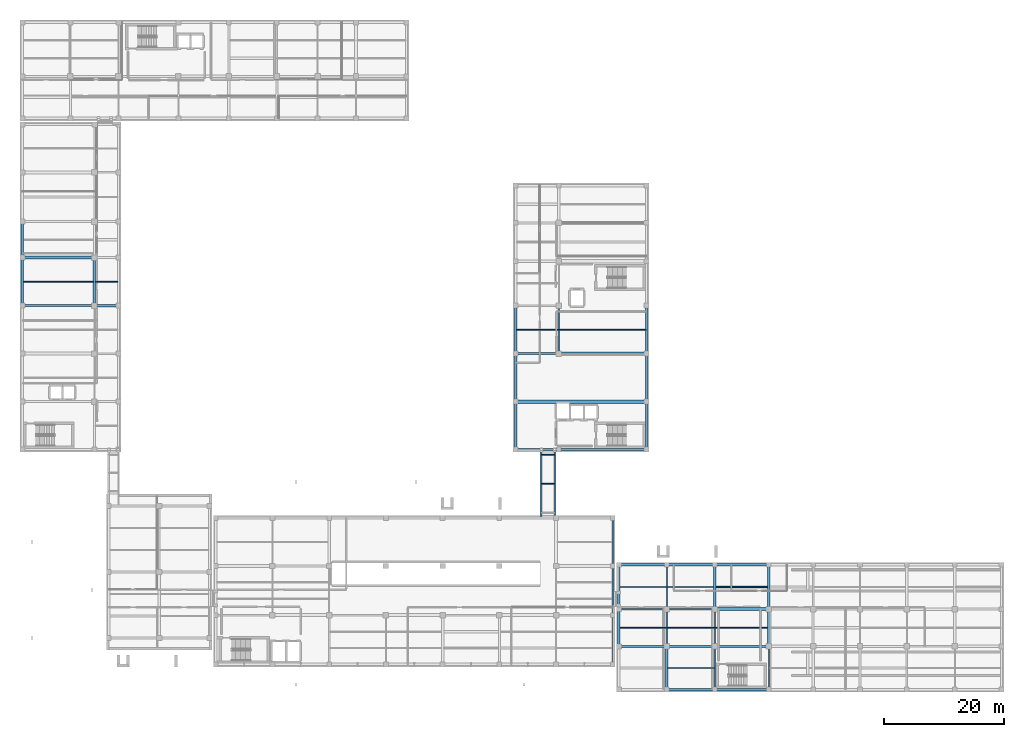
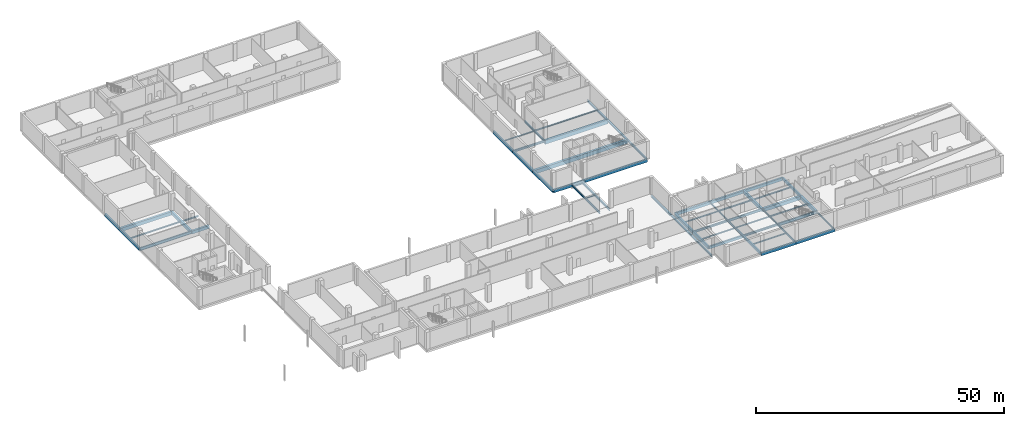
# One storey, part 10 of 31: 58 beams.
"""IFC4 building model written with IfcOpenShell, lengths in metres."""

import ifcopenshell
import ifcopenshell.guid

model = None  # the IFC model being written
_history = None  # IfcOwnerHistory: only IFC2X3 demands one
_inside = {}  # id of a spatial element -> (the spatial element, [elements in it])
_under = {}  # id of a project, library or spatial element -> (it, [spatial elements below it])
_declared = {}  # id of a project -> (the project, [libraries it declares])
_typed = {}  # id of a type object -> (the type object, [elements of that type])
_made_of = {}  # id of a material, layer set ... -> (it, [elements and type objects made of it])


def new_model(schema):
    """Start an empty IFC model of exactly this schema.

    Asked for "IFC4X3", IfcOpenShell would pick the latest addendum, in which some entities
    have other attributes; the version numbers below select the first issue.
    IFC2X3 requires an IfcOwnerHistory on every rooted entity: one is made here for all.
    """
    global model, _history
    if schema == "IFC4X3":
        model = ifcopenshell.file(schema_version=(4, 3, 0, 0))
    else:
        model = ifcopenshell.file(schema=schema)
    _inside.clear()
    _under.clear()
    _declared.clear()
    _typed.clear()
    _made_of.clear()
    _history = None
    if model.schema == "IFC2X3":
        org = make("IfcOrganization", Name="unknown")
        user = make(
            "IfcPersonAndOrganization",
            ThePerson=make("IfcPerson", FamilyName="unknown"),
            TheOrganization=org,
        )
        app = make(
            "IfcApplication",
            ApplicationDeveloper=org,
            Version="unknown",
            ApplicationFullName="unknown",
            ApplicationIdentifier="unknown",
        )
        _history = make(
            "IfcOwnerHistory",
            OwningUser=user,
            OwningApplication=app,
            ChangeAction="ADDED",
            CreationDate=0,
        )
    return model


def make(cls, **values):
    """One entity of the class cls with the attributes given. An attribute that is None is left unset."""
    return model.create_entity(
        cls, **{name: value for name, value in values.items() if value is not None}
    )


def rooted(cls, **values):
    """An entity with a GlobalId (a new one), such as an element, a storey or a relation."""
    return make(cls, GlobalId=ifcopenshell.guid.new(), OwnerHistory=_history, **values)


def si_unit(unit_type, name, prefix=None):
    """IfcSIUnit, for example si_unit("LENGTHUNIT", "METRE", prefix="MILLI")."""
    return make("IfcSIUnit", UnitType=unit_type, Prefix=prefix, Name=name)


def assignment(units):
    """IfcUnitAssignment: the units of a project."""
    return None if units is None else make("IfcUnitAssignment", Units=units)


def point(xyz):
    """IfcCartesianPoint."""
    return None if xyz is None else make("IfcCartesianPoint", Coordinates=xyz)


def direction(xyz):
    """IfcDirection."""
    return None if xyz is None else make("IfcDirection", DirectionRatios=xyz)


def frame(location, z_axis=None, x_axis=None):
    """IfcAxis2Placement3D, a coordinate frame: its origin and axes. An axis left out is left unset."""
    return make(
        "IfcAxis2Placement3D",
        Location=point(location),
        Axis=direction(z_axis),
        RefDirection=direction(x_axis),
    )


def frame_2d(location, x_axis=None):
    """IfcAxis2Placement2D, a coordinate frame in the plane: its origin and x axis."""
    return make(
        "IfcAxis2Placement2D", Location=point(location), RefDirection=direction(x_axis)
    )


def origin():
    """The frame at (0, 0, 0) with its axes left unset."""
    return frame((0.0, 0.0, 0.0))


def origin_2d():
    """The frame at (0, 0) in the plane with its x axis left unset."""
    return frame_2d((0.0, 0.0))


def place(relative_to, where):
    """IfcLocalPlacement: puts the frame where relative to a parent placement (None: the world)."""
    return make(
        "IfcLocalPlacement", PlacementRelTo=relative_to, RelativePlacement=where
    )


def context(
    kind, dimensions, precision=None, world=None, true_north=None, identifier=None
):
    """IfcGeometricRepresentationContext, for example the 3D "Model" context."""
    return make(
        "IfcGeometricRepresentationContext",
        ContextIdentifier=identifier,
        ContextType=kind,
        CoordinateSpaceDimension=dimensions,
        Precision=precision,
        WorldCoordinateSystem=world,
        TrueNorth=true_north,
    )


def subcontext(parent, identifier, kind, view, scale=None):
    """IfcGeometricRepresentationSubContext, for example "Body" below "Model"."""
    return make(
        "IfcGeometricRepresentationSubContext",
        ContextIdentifier=identifier,
        ContextType=kind,
        ParentContext=parent,
        TargetScale=scale,
        TargetView=view,
    )


def project(units=None, contexts=None):
    """IfcProject with its units and contexts."""
    return rooted(
        "IfcProject",
        Name="project",
        RepresentationContexts=contexts,
        UnitsInContext=assignment(units),
    )


def spatial(cls, under=None, at=None, **own):
    """A site, building, storey or space (cls), placed at a placement, below another one or the project."""
    s = rooted(cls, ObjectPlacement=at, **own)
    if under is not None:
        _under.setdefault(under.id(), (under, []))[1].append(s)
    return s


def profile(cls, at=None, kind="AREA", **sizes):
    """A parametric profile (cls). Its sizes go by their IFC names, for example OverallWidth=200.0."""
    return make(cls, ProfileType=kind, Position=at, **sizes)


def rectangle(**sizes):
    """IfcRectangleProfileDef."""
    return profile("IfcRectangleProfileDef", **sizes)


def i_section(**sizes):
    """IfcIShapeProfileDef."""
    return profile("IfcIShapeProfileDef", **sizes)


def extrude(swept, where, along, depth):
    """IfcExtrudedAreaSolid: the profile swept, set in the frame where, extruded along a direction by depth."""
    return make(
        "IfcExtrudedAreaSolid",
        SweptArea=swept,
        Position=where,
        ExtrudedDirection=direction(along),
        Depth=depth,
    )


def shape(context_of_items, identifier, shape_type, items):
    """IfcShapeRepresentation: the items that make up one representation, for example the "Body"."""
    return make(
        "IfcShapeRepresentation",
        ContextOfItems=context_of_items,
        RepresentationIdentifier=identifier,
        RepresentationType=shape_type,
        Items=items,
    )


def material(Name=None, Category=None):
    """IfcMaterial."""
    return make("IfcMaterial", Name=Name, Category=Category)


def material_profile(
    of_material, cross_section, Name=None, Category=None, Priority=None
):
    """IfcMaterialProfile: a cross section and its material."""
    return make(
        "IfcMaterialProfile",
        Name=Name,
        Material=of_material,
        Profile=cross_section,
        Priority=Priority,
        Category=Category,
    )


def profile_set(profiles, Name=None, composite=None):
    """IfcMaterialProfileSet."""
    return make(
        "IfcMaterialProfileSet",
        Name=Name,
        MaterialProfiles=profiles,
        CompositeProfile=composite,
    )


def made_of(thing, what):
    """Note that an element or type object is made of a material, layer set ...; save() writes the relation."""
    if what is not None:
        _made_of.setdefault(what.id(), (what, []))[1].append(thing)
    return thing


def type_object(cls, material=None, **own):
    """A type object (cls), such as IfcWallType, which elements share."""
    return made_of(rooted(cls, **own), material)


def element(
    cls,
    number,
    at=None,
    inside=None,
    cuts=None,
    type_object=None,
    material=None,
    context=None,
    identifier="Body",
    shape_type=None,
    held_by="IfcProductDefinitionShape",
    body=None,
    shapes=None,
    **own,
):
    """One element of the class cls, such as IfcWall. Its Tag is "e" and its number.

    at: its placement. inside: the storey or other place that contains it. cuts: it is an
    opening in that element (IfcRelVoidsElement). A single representation is given by context,
    identifier, shape_type and body (its items); several are given by shapes. held_by: the class
    of the entity that holds the representations. save() writes the other relations.
    """
    e = rooted(cls, Tag="e%d" % number, ObjectPlacement=at, **own)
    if body is not None:
        shapes = [shape(context, identifier, shape_type, body)]
    if shapes is not None:
        e.Representation = make(held_by, Representations=shapes)
    if inside is not None:
        _inside.setdefault(inside.id(), (inside, []))[1].append(e)
    if cuts is not None:
        rooted(
            "IfcRelVoidsElement", RelatingBuildingElement=cuts, RelatedOpeningElement=e
        )
    if type_object is not None:
        _typed.setdefault(type_object.id(), (type_object, []))[1].append(e)
    return made_of(e, material)


def aggregate(whole, parts):
    """IfcRelAggregates: a whole, such as a stair, and the parts it consists of."""
    return rooted("IfcRelAggregates", RelatingObject=whole, RelatedObjects=parts)


def save(model, path):
    """Write the relations noted so far, then the file.

    IfcRelAggregates (storeys below a building ...), IfcRelContainedInSpatialStructure (elements
    in a storey), IfcRelDefinesByType, IfcRelAssociatesMaterial and IfcRelDeclares: one each for
    every whole, place, type object, material and project.
    """
    for whole, parts in _under.values():
        aggregate(whole, parts)
    for where, things in _inside.values():
        rooted(
            "IfcRelContainedInSpatialStructure",
            RelatedElements=things,
            RelatingStructure=where,
        )
    for kind, things in _typed.values():
        rooted("IfcRelDefinesByType", RelatedObjects=things, RelatingType=kind)
    for what, things in _made_of.values():
        rooted("IfcRelAssociatesMaterial", RelatedObjects=things, RelatingMaterial=what)
    for by, libraries in _declared.values():
        rooted("IfcRelDeclares", RelatingContext=by, RelatedDefinitions=libraries)
    model.write(path)


model = new_model("IFC4")

# Units and contexts
model_context = context("Model", 3, precision=1e-05, world=origin(), true_north=direction((0.0, 1.0)))
body_context = subcontext(model_context, "Body", "Model", "MODEL_VIEW")
ifc_project = project(units=[si_unit("LENGTHUNIT", "METRE"), si_unit("AREAUNIT", "SQUARE_METRE"), si_unit("VOLUMEUNIT", "CUBIC_METRE"), si_unit("PLANEANGLEUNIT", "RADIAN"), si_unit("MASSUNIT", "GRAM", prefix="KILO")], contexts=[model_context])

# Site, building, storey
site_placement = place(None, origin())
site = spatial("IfcSite", under=ifc_project, at=site_placement, CompositionType="ELEMENT")
building_placement = place(site_placement, origin())
building = spatial("IfcBuilding", under=site, at=building_placement, Name="Qalavern Law Courts", CompositionType="ELEMENT")
storey_placement = place(building_placement, frame((0.0, 0.0, -4.199951171875)))
storey = spatial("IfcBuildingStorey", under=building, at=storey_placement, Name="B1", CompositionType="ELEMENT", Elevation=-4.199951171875)

# Beams
ifc_material_1 = material(Name="Steel S355", Category="steel")
ifc_material_profile_1 = material_profile(ifc_material_1, i_section(OverallWidth=0.300048828125, OverallDepth=0.489990234375, WebThickness=0.011962890625, FlangeThickness=0.02294921875, FilletRadius=0.027099609375, at=origin_2d()), Name="HEA 500")
ifc_profile_set_1 = profile_set([ifc_material_profile_1], Name="Steel S355")
beam_type_1 = type_object("IfcBeamType", Name="STR-BM-HEA500", PredefinedType="BEAM", material=ifc_profile_set_1)
beam_1_placement = place(storey_placement, frame((84.60009765625, 57.39990234375, -0.56494140625), z_axis=(1.0, 0.0, 0.0), x_axis=(0.0, 1.0, 0.0)))
element("IfcBeam", 1, at=beam_1_placement, inside=storey, type_object=beam_type_1, Name="V4 X-beam 3-1 B1", PredefinedType="BEAM", context=body_context, shape_type="SweptSolid", body=[
    extrude(i_section(OverallWidth=0.300048828125, OverallDepth=0.489990234375, WebThickness=0.011962890625, FlangeThickness=0.02294921875, FilletRadius=0.027099609375, at=origin_2d()), origin(), (0.0, 0.0, 1.0), 7.199951171875),
])
beam_2_placement = place(storey_placement, frame((109.800048828125, 8.60009765625, -0.56494140625), z_axis=(1.0, 0.0, 0.0), x_axis=(0.0, 1.0, 0.0)))
element("IfcBeam", 2, at=beam_2_placement, inside=storey, type_object=beam_type_1, Name="V6 X-beam 2-2 B1", PredefinedType="BEAM", context=body_context, shape_type="SweptSolid", body=[
    extrude(i_section(OverallWidth=0.300048828125, OverallDepth=0.489990234375, WebThickness=0.011962890625, FlangeThickness=0.02294921875, FilletRadius=0.027099609375, at=origin_2d()), origin(), (0.0, 0.0, 1.0), 8.0),
])
beam_3_placement = place(storey_placement, frame((101.820068359375, 14.800048828125, -0.56494140625), z_axis=(1.0, 0.0, 0.0), x_axis=(0.0, 1.0, 0.0)))
element("IfcBeam", 3, at=beam_3_placement, inside=storey, type_object=beam_type_1, Name="V6 X-beam 3-1 B1", PredefinedType="BEAM", context=body_context, shape_type="SweptSolid", body=[
    extrude(i_section(OverallWidth=0.300048828125, OverallDepth=0.489990234375, WebThickness=0.011962890625, FlangeThickness=0.02294921875, FilletRadius=0.027099609375, at=origin_2d()), origin(), (0.0, 0.0, 1.0), 7.97998046875),
])
ifc_material_profile_2 = material_profile(ifc_material_1, i_section(OverallWidth=0.300048828125, OverallDepth=0.699951171875, WebThickness=0.01708984375, FlangeThickness=0.031982421875, FilletRadius=0.027099609375, at=origin_2d()), Name="HEB 700")
ifc_profile_set_2 = profile_set([ifc_material_profile_2], Name="Steel S355")
beam_type_2 = type_object("IfcBeamType", Name="STR-BM-HEB700", PredefinedType="BEAM", material=ifc_profile_set_2)
beam_4_placement = place(storey_placement, frame((2.39990234375, 65.39990234375, -0.670166015625), z_axis=(1.0, 0.0, 0.0), x_axis=(0.0, 1.0, 0.0)))
element("IfcBeam", 4, at=beam_4_placement, inside=storey, type_object=beam_type_2, Name="V3 X-beam 4-1 B1", PredefinedType="BEAM", context=body_context, shape_type="SweptSolid", body=[
    extrude(i_section(OverallWidth=0.300048828125, OverallDepth=0.699951171875, WebThickness=0.01708984375, FlangeThickness=0.031982421875, FilletRadius=0.027099609375, at=origin_2d()), origin(), (0.0, 0.0, 1.0), 12.0),
])
beam_5_placement = place(storey_placement, frame((117.800048828125, 8.60009765625, -0.670166015625), z_axis=(1.0, 0.0, 0.0), x_axis=(0.0, 1.0, 0.0)))
element("IfcBeam", 5, at=beam_5_placement, inside=storey, type_object=beam_type_2, Name="V6 X-beam 2-3 B1", PredefinedType="BEAM", context=body_context, shape_type="SweptSolid", body=[
    extrude(i_section(OverallWidth=0.300048828125, OverallDepth=0.699951171875, WebThickness=0.01708984375, FlangeThickness=0.031982421875, FilletRadius=0.027099609375, at=origin_2d()), origin(), (0.0, 0.0, 1.0), 9.0),
])
ifc_material_profile_3 = material_profile(ifc_material_1, i_section(OverallWidth=0.179931640625, OverallDepth=0.39990234375, WebThickness=0.008544921875, FlangeThickness=0.013427734375, FilletRadius=0.02099609375, at=origin_2d()), Name="IPE 400")
ifc_profile_set_3 = profile_set([ifc_material_profile_3], Name="Steel S355")
beam_type_3 = type_object("IfcBeamType", Name="STR-BM-IPE400", PredefinedType="BEAM", material=ifc_profile_set_3)
beam_6_placement = place(storey_placement, frame((109.800048828125, 14.800048828125, -0.52001953125), z_axis=(0.0, 1.0, 0.0), x_axis=(-1.0, 0.0, 0.0)))
element("IfcBeam", 6, at=beam_6_placement, inside=storey, type_object=beam_type_3, Name="V6 Y-beam 2-3 B1", PredefinedType="BEAM", context=body_context, shape_type="SweptSolid", body=[
    extrude(i_section(OverallWidth=0.179931640625, OverallDepth=0.39990234375, WebThickness=0.008544921875, FlangeThickness=0.013427734375, FilletRadius=0.02099609375, at=origin_2d()), origin(), (0.0, 0.0, 1.0), 7.39990234375),
])
beam_7_placement = place(storey_placement, frame((117.800048828125, 8.60009765625, -0.52001953125), z_axis=(0.0, 1.0, 0.0), x_axis=(-1.0, 0.0, 0.0)))
element("IfcBeam", 7, at=beam_7_placement, inside=storey, type_object=beam_type_3, Name="V6 Y-beam 3-2 B1", PredefinedType="BEAM", context=body_context, shape_type="SweptSolid", body=[
    extrude(i_section(OverallWidth=0.179931640625, OverallDepth=0.39990234375, WebThickness=0.008544921875, FlangeThickness=0.013427734375, FilletRadius=0.02099609375, at=origin_2d()), origin(), (0.0, 0.0, 1.0), 6.199951171875),
])
beam_8_placement = place(storey_placement, frame((126.800048828125, 1.39990234375, -0.52001953125), z_axis=(0.0, 1.0, 0.0), x_axis=(-1.0, 0.0, 0.0)))
element("IfcBeam", 8, at=beam_8_placement, inside=storey, type_object=beam_type_3, Name="V6 Y-beam 4-1 B1", PredefinedType="BEAM", context=body_context, shape_type="SweptSolid", body=[
    extrude(i_section(OverallWidth=0.179931640625, OverallDepth=0.39990234375, WebThickness=0.008544921875, FlangeThickness=0.013427734375, FilletRadius=0.02099609375, at=origin_2d()), origin(), (0.0, 0.0, 1.0), 7.2001953125),
])
ifc_material_profile_4 = material_profile(ifc_material_1, i_section(OverallWidth=0.199951171875, OverallDepth=0.5, WebThickness=0.01025390625, FlangeThickness=0.01611328125, FilletRadius=0.02099609375, at=origin_2d()), Name="IPE 500")
ifc_profile_set_4 = profile_set([ifc_material_profile_4], Name="Steel S355")
beam_type_4 = type_object("IfcBeamType", Name="STR-BM-IPE500", PredefinedType="BEAM", material=ifc_profile_set_4)
beam_9_placement = place(storey_placement, frame((91.800048828125, 57.39990234375, -0.570068359375), z_axis=(0.0, 1.0, 0.0), x_axis=(-1.0, 0.0, 0.0)))
element("IfcBeam", 9, at=beam_9_placement, inside=storey, type_object=beam_type_4, Name="V4 Y-beam 2-2 B1", PredefinedType="BEAM", context=body_context, shape_type="SweptSolid", body=[
    extrude(i_section(OverallWidth=0.199951171875, OverallDepth=0.5, WebThickness=0.01025390625, FlangeThickness=0.01611328125, FilletRadius=0.02099609375, at=origin_2d()), origin(), (0.0, 0.0, 1.0), 8.0),
])
beam_10_placement = place(storey_placement, frame((109.800048828125, 8.60009765625, -0.570068359375), z_axis=(0.0, 1.0, 0.0), x_axis=(-1.0, 0.0, 0.0)))
element("IfcBeam", 10, at=beam_10_placement, inside=storey, type_object=beam_type_4, Name="V6 Y-beam 2-2 B1", PredefinedType="BEAM", context=body_context, shape_type="SweptSolid", body=[
    extrude(i_section(OverallWidth=0.199951171875, OverallDepth=0.5, WebThickness=0.01025390625, FlangeThickness=0.01611328125, FilletRadius=0.02099609375, at=origin_2d()), origin(), (0.0, 0.0, 1.0), 6.199951171875),
])
beam_11_placement = place(storey_placement, frame((117.800048828125, 1.39990234375, -0.570068359375), z_axis=(0.0, 1.0, 0.0), x_axis=(-1.0, 0.0, 0.0)))
element("IfcBeam", 11, at=beam_11_placement, inside=storey, type_object=beam_type_4, Name="V6 Y-beam 3-1 B1", PredefinedType="BEAM", context=body_context, shape_type="SweptSolid", body=[
    extrude(i_section(OverallWidth=0.199951171875, OverallDepth=0.5, WebThickness=0.01025390625, FlangeThickness=0.01611328125, FilletRadius=0.02099609375, at=origin_2d()), origin(), (0.0, 0.0, 1.0), 7.2001953125),
])
ifc_material_profile_5 = material_profile(ifc_material_1, i_section(OverallWidth=0.2099609375, OverallDepth=0.550048828125, WebThickness=0.010986328125, FlangeThickness=0.01708984375, FilletRadius=0.02392578125, at=origin_2d()), Name="IPE 550")
ifc_profile_set_5 = profile_set([ifc_material_profile_5], Name="Steel S355")
beam_type_5 = type_object("IfcBeamType", Name="STR-BM-IPE550", PredefinedType="BEAM", material=ifc_profile_set_5)
for number, where, z_axis, x_axis, name in (
    (12, (88.8798828125, 30.0, -0.594970703125), (0.0, 1.0, 0.0), (-1.0, 0.0, 0.0), "Bridge BR-V2-V4 edge girder 1 B1"),
    (13, (91.1201171875, 30.0, -0.594970703125), (0.0, 1.0, 0.0), (-1.0, 0.0, 0.0), "Bridge BR-V2-V4 edge girder 2 B1"),
):
    element("IfcBeam", number, at=place(storey_placement, frame(where, z_axis=z_axis, x_axis=x_axis)), inside=storey, type_object=beam_type_5, Name=name, PredefinedType="BEAM", context=body_context, shape_type="SweptSolid", body=[
        extrude(i_section(OverallWidth=0.2099609375, OverallDepth=0.550048828125, WebThickness=0.010986328125, FlangeThickness=0.01708984375, FilletRadius=0.02392578125, at=origin_2d()), origin(), (0.0, 0.0, 1.0), 11.419921875),
    ])
ifc_material_profile_6 = material_profile(ifc_material_1, i_section(OverallWidth=0.219970703125, OverallDepth=0.60009765625, WebThickness=0.011962890625, FlangeThickness=0.01904296875, FilletRadius=0.02392578125, at=origin_2d()), Name="IPE 600")
ifc_profile_set_6 = profile_set([ifc_material_profile_6], Name="Steel S355")
beam_type_6 = type_object("IfcBeamType", Name="STR-BM-IPE600", PredefinedType="BEAM", material=ifc_profile_set_6)
beam_12_placement = place(storey_placement, frame((109.800048828125, 14.800048828125, -0.6201171875), z_axis=(1.0, 0.0, 0.0), x_axis=(0.0, 1.0, 0.0)))
element("IfcBeam", 14, at=beam_12_placement, inside=storey, type_object=beam_type_6, Name="V6 X-beam 3-2 B1", PredefinedType="BEAM", context=body_context, shape_type="SweptSolid", body=[
    extrude(i_section(OverallWidth=0.219970703125, OverallDepth=0.60009765625, WebThickness=0.011962890625, FlangeThickness=0.01904296875, FilletRadius=0.02392578125, at=origin_2d()), origin(), (0.0, 0.0, 1.0), 8.0),
])
ifc_material_2 = material(Name="Concrete C35/45", Category="concrete")
ifc_material_profile_7 = material_profile(ifc_material_2, rectangle(XDim=0.35009765625, YDim=0.550048828125, at=origin_2d()), Name="RC 350x550")
ifc_profile_set_7 = profile_set([ifc_material_profile_7], Name="Concrete C35/45")
beam_type_7 = type_object("IfcBeamType", Name="STR-BM-RC350x550", PredefinedType="BEAM", material=ifc_profile_set_7)
beam_13_placement = place(storey_placement, frame((109.800048828125, 1.39990234375, -0.594970703125), z_axis=(0.0, 1.0, 0.0), x_axis=(-1.0, 0.0, 0.0)))
element("IfcBeam", 15, at=beam_13_placement, inside=storey, type_object=beam_type_7, Name="V6 Y-beam 2-1 B1", PredefinedType="BEAM", context=body_context, shape_type="SweptSolid", body=[
    extrude(rectangle(XDim=0.35009765625, YDim=0.550048828125, at=origin_2d()), origin(), (0.0, 0.0, 1.0), 7.2001953125),
])
beam_14_placement = place(storey_placement, frame((126.800048828125, 14.800048828125, -0.594970703125), z_axis=(0.0, 1.0, 0.0), x_axis=(-1.0, 0.0, 0.0)))
element("IfcBeam", 16, at=beam_14_placement, inside=storey, type_object=beam_type_7, Name="V6 Y-beam 4-3 B1", PredefinedType="BEAM", context=body_context, shape_type="SweptSolid", body=[
    extrude(rectangle(XDim=0.35009765625, YDim=0.550048828125, at=origin_2d()), origin(), (0.0, 0.0, 1.0), 7.39990234375),
])
ifc_material_profile_8 = material_profile(ifc_material_2, rectangle(XDim=0.35009765625, YDim=0.60009765625, at=origin_2d()), Name="RC 350x600")
ifc_profile_set_8 = profile_set([ifc_material_profile_8], Name="Concrete C35/45")
beam_type_8 = type_object("IfcBeamType", Name="STR-BM-RC350x600", PredefinedType="BEAM", material=ifc_profile_set_8)
beam_15_placement = place(storey_placement, frame((101.820068359375, 8.60009765625, -0.6201171875), z_axis=(1.0, 0.0, 0.0), x_axis=(0.0, 1.0, 0.0)))
element("IfcBeam", 17, at=beam_15_placement, inside=storey, type_object=beam_type_8, Name="V6 X-beam 2-1 B1", PredefinedType="BEAM", context=body_context, shape_type="SweptSolid", body=[
    extrude(rectangle(XDim=0.35009765625, YDim=0.60009765625, at=origin_2d()), origin(), (0.0, 0.0, 1.0), 7.97998046875),
])
ifc_material_3 = material(Name="Concrete C40/50", Category="concrete")
ifc_material_profile_9 = material_profile(ifc_material_3, rectangle(XDim=0.449951171875, YDim=0.75, at=origin_2d()), Name="RC 450x750")
ifc_profile_set_9 = profile_set([ifc_material_profile_9], Name="Concrete C40/50")
beam_type_9 = type_object("IfcBeamType", Name="STR-BM-RC450x750", PredefinedType="BEAM", material=ifc_profile_set_9)
beam_16_placement = place(storey_placement, frame((14.39990234375, 65.39990234375, -0.695068359375), z_axis=(1.0, 0.0, 0.0), x_axis=(0.0, 1.0, 0.0)))
element("IfcBeam", 18, at=beam_16_placement, inside=storey, type_object=beam_type_9, Name="V3 X-beam 4-2 B1", PredefinedType="BEAM", context=body_context, shape_type="SweptSolid", body=[
    extrude(rectangle(XDim=0.449951171875, YDim=0.75, at=origin_2d()), origin(), (0.0, 0.0, 1.0), 4.0),
])
beam_17_placement = place(storey_placement, frame((14.39990234375, 65.39990234375, -0.695068359375), z_axis=(0.0, 1.0, 0.0), x_axis=(-1.0, 0.0, 0.0)))
element("IfcBeam", 19, at=beam_17_placement, inside=storey, type_object=beam_type_9, Name="V3 Y-beam 2-4 B1", PredefinedType="BEAM", context=body_context, shape_type="SweptSolid", body=[
    extrude(rectangle(XDim=0.449951171875, YDim=0.75, at=origin_2d()), origin(), (0.0, 0.0, 1.0), 8.0),
])
beam_18_placement = place(storey_placement, frame((117.800048828125, 14.800048828125, -0.695068359375), z_axis=(0.0, 1.0, 0.0), x_axis=(-1.0, 0.0, 0.0)))
element("IfcBeam", 20, at=beam_18_placement, inside=storey, type_object=beam_type_9, Name="V6 Y-beam 3-3 B1", PredefinedType="BEAM", context=body_context, shape_type="SweptSolid", body=[
    extrude(rectangle(XDim=0.449951171875, YDim=0.75, at=origin_2d()), origin(), (0.0, 0.0, 1.0), 7.39990234375),
])
beam_19_placement = place(storey_placement, frame((126.800048828125, 8.60009765625, -0.695068359375), z_axis=(0.0, 1.0, 0.0), x_axis=(-1.0, 0.0, 0.0)))
element("IfcBeam", 21, at=beam_19_placement, inside=storey, type_object=beam_type_9, Name="V6 Y-beam 4-2 B1", PredefinedType="BEAM", context=body_context, shape_type="SweptSolid", body=[
    extrude(rectangle(XDim=0.449951171875, YDim=0.75, at=origin_2d()), origin(), (0.0, 0.0, 1.0), 6.199951171875),
])
ifc_material_profile_10 = material_profile(ifc_material_3, rectangle(XDim=0.5, YDim=0.85009765625, at=origin_2d()), Name="RC 500x850")
ifc_profile_set_10 = profile_set([ifc_material_profile_10], Name="Concrete C40/50")
beam_type_10 = type_object("IfcBeamType", Name="STR-BM-RC500x850", PredefinedType="BEAM", material=ifc_profile_set_10)
beam_20_placement = place(storey_placement, frame((2.39990234375, 73.39990234375, -0.7451171875), z_axis=(1.0, 0.0, 0.0), x_axis=(0.0, 1.0, 0.0)))
element("IfcBeam", 22, at=beam_20_placement, inside=storey, type_object=beam_type_10, Name="V3 X-beam 5-1 B1", PredefinedType="BEAM", context=body_context, shape_type="SweptSolid", body=[
    extrude(rectangle(XDim=0.5, YDim=0.85009765625, at=origin_2d()), origin(), (0.0, 0.0, 1.0), 12.0),
])
beam_21_placement = place(storey_placement, frame((117.800048828125, 14.800048828125, -0.7451171875), z_axis=(1.0, 0.0, 0.0), x_axis=(0.0, 1.0, 0.0)))
element("IfcBeam", 23, at=beam_21_placement, inside=storey, type_object=beam_type_10, Name="V6 X-beam 3-3 B1", PredefinedType="BEAM", context=body_context, shape_type="SweptSolid", body=[
    extrude(rectangle(XDim=0.5, YDim=0.85009765625, at=origin_2d()), origin(), (0.0, 0.0, 1.0), 9.0),
])
ifc_material_profile_11 = material_profile(ifc_material_3, rectangle(XDim=0.550048828125, YDim=0.949951171875, at=origin_2d()), Name="RC 550x950")
ifc_profile_set_11 = profile_set([ifc_material_profile_11], Name="Concrete C40/50")
beam_type_11 = type_object("IfcBeamType", Name="STR-BM-RC550x950", PredefinedType="BEAM", material=ifc_profile_set_11)
beam_22_placement = place(storey_placement, frame((84.60009765625, 49.39990234375, -0.795166015625), z_axis=(1.0, 0.0, 0.0), x_axis=(0.0, 1.0, 0.0)))
element("IfcBeam", 24, at=beam_22_placement, inside=storey, type_object=beam_type_11, Name="V4 X-beam 2-1 B1", PredefinedType="BEAM", context=body_context, shape_type="SweptSolid", body=[
    extrude(rectangle(XDim=0.550048828125, YDim=0.949951171875, at=origin_2d()), origin(), (0.0, 0.0, 1.0), 21.7998046875),
])
beam_23_placement = place(storey_placement, frame((91.800048828125, 57.39990234375, -0.795166015625), z_axis=(1.0, 0.0, 0.0), x_axis=(0.0, 1.0, 0.0)))
element("IfcBeam", 25, at=beam_23_placement, inside=storey, type_object=beam_type_11, Name="V4 X-beam 3-2 B1", PredefinedType="BEAM", context=body_context, shape_type="SweptSolid", body=[
    extrude(rectangle(XDim=0.550048828125, YDim=0.949951171875, at=origin_2d()), origin(), (0.0, 0.0, 1.0), 14.599853515625),
])
ifc_material_profile_12 = material_profile(ifc_material_1, i_section(OverallWidth=0.135009765625, OverallDepth=0.27001953125, WebThickness=0.006591796875, FlangeThickness=0.01025390625, FilletRadius=0.014892578125, at=origin_2d()), Name="IPE 270")
ifc_profile_set_12 = profile_set([ifc_material_profile_12], Name="Steel S355")
beam_type_12 = type_object("IfcBeamType", Name="STR-JST-IPE270", PredefinedType="JOIST", material=ifc_profile_set_12)
beam_24_placement = place(storey_placement, frame((2.597900390625, 69.39990234375, -0.455078125), z_axis=(1.0, 0.0, 0.0), x_axis=(0.0, 1.0, 0.0)))
element("IfcBeam", 26, at=beam_24_placement, inside=storey, type_object=beam_type_12, Name="V3 secondary joist 1.4.1 B1", PredefinedType="JOIST", context=body_context, shape_type="SweptSolid", body=[
    extrude(i_section(OverallWidth=0.135009765625, OverallDepth=0.27001953125, WebThickness=0.006591796875, FlangeThickness=0.01025390625, FilletRadius=0.014892578125, at=origin_2d()), origin(), (0.0, 0.0, 1.0), 11.5791015625),
])
beam_25_placement = place(storey_placement, frame((91.89794921875, 61.39990234375, -0.455078125), z_axis=(1.0, 0.0, 0.0), x_axis=(0.0, 1.0, 0.0)))
element("IfcBeam", 27, at=beam_25_placement, inside=storey, type_object=beam_type_12, Name="V4 secondary joist 2.3.1 B1", PredefinedType="JOIST", context=body_context, shape_type="SweptSolid", body=[
    extrude(i_section(OverallWidth=0.135009765625, OverallDepth=0.27001953125, WebThickness=0.006591796875, FlangeThickness=0.01025390625, FilletRadius=0.014892578125, at=origin_2d()), origin(), (0.0, 0.0, 1.0), 14.35400390625),
])
beam_26_placement = place(storey_placement, frame((109.887939453125, 18.5, -0.455078125), z_axis=(1.0, 0.0, 0.0), x_axis=(0.0, 1.0, 0.0)))
element("IfcBeam", 28, at=beam_26_placement, inside=storey, type_object=beam_type_12, Name="V6 secondary joist 2.3.1 B1", PredefinedType="JOIST", context=body_context, shape_type="SweptSolid", body=[
    extrude(i_section(OverallWidth=0.135009765625, OverallDepth=0.27001953125, WebThickness=0.006591796875, FlangeThickness=0.01025390625, FilletRadius=0.014892578125, at=origin_2d()), origin(), (0.0, 0.0, 1.0), 7.68896484375),
])
beam_27_placement = place(storey_placement, frame((117.887939453125, 11.699951171875, -0.455078125), z_axis=(1.0, 0.0, 0.0), x_axis=(0.0, 1.0, 0.0)))
element("IfcBeam", 29, at=beam_27_placement, inside=storey, type_object=beam_type_12, Name="V6 secondary joist 3.2.1 B1", PredefinedType="JOIST", context=body_context, shape_type="SweptSolid", body=[
    extrude(i_section(OverallWidth=0.135009765625, OverallDepth=0.27001953125, WebThickness=0.006591796875, FlangeThickness=0.01025390625, FilletRadius=0.014892578125, at=origin_2d()), origin(), (0.0, 0.0, 1.0), 8.68896484375),
])
ifc_material_profile_13 = material_profile(ifc_material_1, i_section(OverallWidth=0.14990234375, OverallDepth=0.300048828125, WebThickness=0.007080078125, FlangeThickness=0.0107421875, FilletRadius=0.014892578125, at=origin_2d()), Name="IPE 300")
ifc_profile_set_13 = profile_set([ifc_material_profile_13], Name="Steel S355")
beam_type_13 = type_object("IfcBeamType", Name="STR-JST-IPE300", PredefinedType="JOIST", material=ifc_profile_set_13)
beam_28_placement = place(storey_placement, frame((84.798095703125, 61.39990234375, -0.469970703125), z_axis=(1.0, 0.0, 0.0), x_axis=(0.0, 1.0, 0.0)))
element("IfcBeam", 30, at=beam_28_placement, inside=storey, type_object=beam_type_13, Name="V4 secondary joist 1.3.1 B1", PredefinedType="JOIST", context=body_context, shape_type="SweptSolid", body=[
    extrude(i_section(OverallWidth=0.14990234375, OverallDepth=0.300048828125, WebThickness=0.007080078125, FlangeThickness=0.0107421875, FilletRadius=0.014892578125, at=origin_2d()), origin(), (0.0, 0.0, 1.0), 6.90380859375),
])
beam_29_placement = place(storey_placement, frame((102.01806640625, 18.5, -0.469970703125), z_axis=(1.0, 0.0, 0.0), x_axis=(0.0, 1.0, 0.0)))
element("IfcBeam", 31, at=beam_29_placement, inside=storey, type_object=beam_type_13, Name="V6 secondary joist 1.3.1 B1", PredefinedType="JOIST", context=body_context, shape_type="SweptSolid", body=[
    extrude(i_section(OverallWidth=0.14990234375, OverallDepth=0.300048828125, WebThickness=0.007080078125, FlangeThickness=0.0107421875, FilletRadius=0.014892578125, at=origin_2d()), origin(), (0.0, 0.0, 1.0), 7.69384765625),
])
beam_30_placement = place(storey_placement, frame((109.89794921875, 11.699951171875, -0.469970703125), z_axis=(1.0, 0.0, 0.0), x_axis=(0.0, 1.0, 0.0)))
element("IfcBeam", 32, at=beam_30_placement, inside=storey, type_object=beam_type_13, Name="V6 secondary joist 2.2.1 B1", PredefinedType="JOIST", context=body_context, shape_type="SweptSolid", body=[
    extrude(i_section(OverallWidth=0.14990234375, OverallDepth=0.300048828125, WebThickness=0.007080078125, FlangeThickness=0.0107421875, FilletRadius=0.014892578125, at=origin_2d()), origin(), (0.0, 0.0, 1.0), 7.81396484375),
])
for number, where, z_axis, x_axis, name in (
    (33, (88.97998046875, 35.7099609375, -0.469970703125), (1.0, 0.0, 0.0), (0.0, 1.0, 0.0), "Bridge BR-V2-V4 cross beam 2 B1"),
    (34, (88.97998046875, 40.570068359375, -0.469970703125), (1.0, 0.0, 0.0), (0.0, 1.0, 0.0), "Bridge BR-V2-V4 cross beam 3 B1"),
):
    element("IfcBeam", number, at=place(storey_placement, frame(where, z_axis=z_axis, x_axis=x_axis)), inside=storey, type_object=beam_type_13, Name=name, PredefinedType="JOIST", context=body_context, shape_type="SweptSolid", body=[
        extrude(i_section(OverallWidth=0.14990234375, OverallDepth=0.300048828125, WebThickness=0.007080078125, FlangeThickness=0.0107421875, FilletRadius=0.014892578125, at=origin_2d()), origin(), (0.0, 0.0, 1.0), 2.0400390625),
    ])
ifc_material_profile_14 = material_profile(ifc_material_1, i_section(OverallWidth=0.159912109375, OverallDepth=0.330078125, WebThickness=0.007568359375, FlangeThickness=0.011474609375, FilletRadius=0.01806640625, at=origin_2d()), Name="IPE 330")
ifc_profile_set_14 = profile_set([ifc_material_profile_14], Name="Steel S355")
beam_type_14 = type_object("IfcBeamType", Name="STR-JST-IPE330", PredefinedType="JOIST", material=ifc_profile_set_14)
beam_31_placement = place(storey_placement, frame((102.01806640625, 11.699951171875, -0.485107421875), z_axis=(1.0, 0.0, 0.0), x_axis=(0.0, 1.0, 0.0)))
element("IfcBeam", 35, at=beam_31_placement, inside=storey, type_object=beam_type_14, Name="V6 secondary joist 1.2.1 B1", PredefinedType="JOIST", context=body_context, shape_type="SweptSolid", body=[
    extrude(i_section(OverallWidth=0.159912109375, OverallDepth=0.330078125, WebThickness=0.007568359375, FlangeThickness=0.011474609375, FilletRadius=0.01806640625, at=origin_2d()), origin(), (0.0, 0.0, 1.0), 7.683837890625),
])
beam_32_placement = place(storey_placement, frame((109.972900390625, 5.0, -0.485107421875), z_axis=(1.0, 0.0, 0.0), x_axis=(0.0, 1.0, 0.0)))
element("IfcBeam", 36, at=beam_32_placement, inside=storey, type_object=beam_type_14, Name="V6 secondary joist 2.1.1 B1", PredefinedType="JOIST", context=body_context, shape_type="SweptSolid", body=[
    extrude(i_section(OverallWidth=0.159912109375, OverallDepth=0.330078125, WebThickness=0.007568359375, FlangeThickness=0.011474609375, FilletRadius=0.01806640625, at=origin_2d()), origin(), (0.0, 0.0, 1.0), 7.72900390625),
])
ifc_material_profile_15 = material_profile(ifc_material_1, i_section(OverallWidth=0.169921875, OverallDepth=0.360107421875, WebThickness=0.008056640625, FlangeThickness=0.0126953125, FilletRadius=0.01806640625, at=origin_2d()), Name="IPE 360")
ifc_profile_set_15 = profile_set([ifc_material_profile_15], Name="Steel S355")
beam_type_15 = type_object("IfcBeamType", Name="STR-JST-IPE360", PredefinedType="JOIST", material=ifc_profile_set_15)
beam_33_placement = place(storey_placement, frame((14.623046875, 69.39990234375, -0.5), z_axis=(1.0, 0.0, 0.0), x_axis=(0.0, 1.0, 0.0)))
element("IfcBeam", 37, at=beam_33_placement, inside=storey, type_object=beam_type_15, Name="V3 secondary joist 2.4.1 B1", PredefinedType="JOIST", context=body_context, shape_type="SweptSolid", body=[
    extrude(i_section(OverallWidth=0.169921875, OverallDepth=0.360107421875, WebThickness=0.008056640625, FlangeThickness=0.0126953125, FilletRadius=0.01806640625, at=origin_2d()), origin(), (0.0, 0.0, 1.0), 3.62890625),
])
beam_34_placement = place(storey_placement, frame((118.02294921875, 18.5, -0.5), z_axis=(1.0, 0.0, 0.0), x_axis=(0.0, 1.0, 0.0)))
element("IfcBeam", 38, at=beam_34_placement, inside=storey, type_object=beam_type_15, Name="V6 secondary joist 3.3.1 B1", PredefinedType="JOIST", context=body_context, shape_type="SweptSolid", body=[
    extrude(i_section(OverallWidth=0.169921875, OverallDepth=0.360107421875, WebThickness=0.008056640625, FlangeThickness=0.0126953125, FilletRadius=0.01806640625, at=origin_2d()), origin(), (0.0, 0.0, 1.0), 8.60400390625),
])
ifc_material_profile_16 = material_profile(ifc_material_1, i_section(OverallWidth=0.300048828125, OverallDepth=0.449951171875, WebThickness=0.013916015625, FlangeThickness=0.02587890625, FilletRadius=0.027099609375, at=origin_2d()), Name="HEB 450")
ifc_profile_set_16 = profile_set([ifc_material_profile_16], Name="Steel S355")
beam_type_16 = type_object("IfcBeamType", Name="STR-SP-HEB450", PredefinedType="SPANDREL", material=ifc_profile_set_16)
for number, where, z_axis, x_axis, name in (
    (39, (100.800048828125, 5.60009765625, -0.545166015625), (0.0, 1.0, 0.0), (-1.0, 0.0, 0.0), "V2 Y-beam 8-1 B1"),
    (40, (100.800048828125, 13.800048828125, -0.545166015625), (0.0, 1.0, 0.0), (-1.0, 0.0, 0.0), "V2 Y-beam 8-2 B1"),
):
    element("IfcBeam", number, at=place(storey_placement, frame(where, z_axis=z_axis, x_axis=x_axis)), inside=storey, type_object=beam_type_16, Name=name, PredefinedType="SPANDREL", context=body_context, shape_type="SweptSolid", body=[
        extrude(i_section(OverallWidth=0.300048828125, OverallDepth=0.449951171875, WebThickness=0.013916015625, FlangeThickness=0.02587890625, FilletRadius=0.027099609375, at=origin_2d()), origin(), (0.0, 0.0, 1.0), 8.199951171875),
    ])
beam_35_placement = place(storey_placement, frame((100.800048828125, 22.0, -0.545166015625), z_axis=(0.0, 1.0, 0.0), x_axis=(-1.0, 0.0, 0.0)))
element("IfcBeam", 41, at=beam_35_placement, inside=storey, type_object=beam_type_16, Name="V2 Y-beam 8-3 B1", PredefinedType="SPANDREL", context=body_context, shape_type="SweptSolid", body=[
    extrude(i_section(OverallWidth=0.300048828125, OverallDepth=0.449951171875, WebThickness=0.013916015625, FlangeThickness=0.02587890625, FilletRadius=0.027099609375, at=origin_2d()), origin(), (0.0, 0.0, 1.0), 8.0),
])
beam_36_placement = place(storey_placement, frame((106.39990234375, 41.419921875, -0.545166015625), z_axis=(0.0, 1.0, 0.0), x_axis=(-1.0, 0.0, 0.0)))
element("IfcBeam", 42, at=beam_36_placement, inside=storey, type_object=beam_type_16, Name="V4 Y-beam 3-1 B1", PredefinedType="SPANDREL", context=body_context, shape_type="SweptSolid", body=[
    extrude(i_section(OverallWidth=0.300048828125, OverallDepth=0.449951171875, WebThickness=0.013916015625, FlangeThickness=0.02587890625, FilletRadius=0.027099609375, at=origin_2d()), origin(), (0.0, 0.0, 1.0), 7.97998046875),
])
for number, where, z_axis, x_axis, name in (
    (43, (106.39990234375, 49.39990234375, -0.545166015625), (0.0, 1.0, 0.0), (-1.0, 0.0, 0.0), "V4 Y-beam 3-2 B1"),
    (44, (106.39990234375, 57.39990234375, -0.545166015625), (0.0, 1.0, 0.0), (-1.0, 0.0, 0.0), "V4 Y-beam 3-3 B1"),
):
    element("IfcBeam", number, at=place(storey_placement, frame(where, z_axis=z_axis, x_axis=x_axis)), inside=storey, type_object=beam_type_16, Name=name, PredefinedType="SPANDREL", context=body_context, shape_type="SweptSolid", body=[
        extrude(i_section(OverallWidth=0.300048828125, OverallDepth=0.449951171875, WebThickness=0.013916015625, FlangeThickness=0.02587890625, FilletRadius=0.027099609375, at=origin_2d()), origin(), (0.0, 0.0, 1.0), 8.0),
    ])
ifc_material_profile_17 = material_profile(ifc_material_3, rectangle(XDim=0.39990234375, YDim=0.699951171875, at=origin_2d()), Name="RC 400x700")
ifc_profile_set_17 = profile_set([ifc_material_profile_17], Name="Concrete C40/50")
beam_type_17 = type_object("IfcBeamType", Name="STR-SP-RC400x700", PredefinedType="SPANDREL", material=ifc_profile_set_17)
beam_37_placement = place(storey_placement, frame((2.39990234375, 65.39990234375, -0.670166015625), z_axis=(0.0, 1.0, 0.0), x_axis=(-1.0, 0.0, 0.0)))
element("IfcBeam", 45, at=beam_37_placement, inside=storey, type_object=beam_type_17, Name="V3 Y-beam 1-4 B1", PredefinedType="SPANDREL", context=body_context, shape_type="SweptSolid", body=[
    extrude(rectangle(XDim=0.39990234375, YDim=0.699951171875, at=origin_2d()), origin(), (0.0, 0.0, 1.0), 8.0),
])
beam_38_placement = place(storey_placement, frame((2.39990234375, 73.39990234375, -0.670166015625), z_axis=(0.0, 1.0, 0.0), x_axis=(-1.0, 0.0, 0.0)))
element("IfcBeam", 46, at=beam_38_placement, inside=storey, type_object=beam_type_17, Name="V3 Y-beam 1-5 B1", PredefinedType="SPANDREL", context=body_context, shape_type="SweptSolid", body=[
    extrude(rectangle(XDim=0.39990234375, YDim=0.699951171875, at=origin_2d()), origin(), (0.0, 0.0, 1.0), 6.0),
])
beam_39_placement = place(storey_placement, frame((84.60009765625, 41.419921875, -0.670166015625), z_axis=(1.0, 0.0, 0.0), x_axis=(0.0, 1.0, 0.0)))
element("IfcBeam", 47, at=beam_39_placement, inside=storey, type_object=beam_type_17, Name="V4 X-beam 1-1 B1", PredefinedType="SPANDREL", context=body_context, shape_type="SweptSolid", body=[
    extrude(rectangle(XDim=0.39990234375, YDim=0.699951171875, at=origin_2d()), origin(), (0.0, 0.0, 1.0), 7.199951171875),
])
beam_40_placement = place(storey_placement, frame((91.800048828125, 41.419921875, -0.670166015625), z_axis=(1.0, 0.0, 0.0), x_axis=(0.0, 1.0, 0.0)))
element("IfcBeam", 48, at=beam_40_placement, inside=storey, type_object=beam_type_17, Name="V4 X-beam 1-2 B1", PredefinedType="SPANDREL", context=body_context, shape_type="SweptSolid", body=[
    extrude(rectangle(XDim=0.39990234375, YDim=0.699951171875, at=origin_2d()), origin(), (0.0, 0.0, 1.0), 14.599853515625),
])
beam_41_placement = place(storey_placement, frame((84.60009765625, 41.419921875, -0.670166015625), z_axis=(0.0, 1.0, 0.0), x_axis=(-1.0, 0.0, 0.0)))
element("IfcBeam", 49, at=beam_41_placement, inside=storey, type_object=beam_type_17, Name="V4 Y-beam 1-1 B1", PredefinedType="SPANDREL", context=body_context, shape_type="SweptSolid", body=[
    extrude(rectangle(XDim=0.39990234375, YDim=0.699951171875, at=origin_2d()), origin(), (0.0, 0.0, 1.0), 7.97998046875),
])
for number, where, z_axis, x_axis, name in (
    (50, (84.60009765625, 49.39990234375, -0.670166015625), (0.0, 1.0, 0.0), (-1.0, 0.0, 0.0), "V4 Y-beam 1-2 B1"),
    (51, (84.60009765625, 57.39990234375, -0.670166015625), (0.0, 1.0, 0.0), (-1.0, 0.0, 0.0), "V4 Y-beam 1-3 B1"),
    (52, (109.800048828125, 1.39990234375, -0.670166015625), (1.0, 0.0, 0.0), (0.0, 1.0, 0.0), "V6 X-beam 1-2 B1"),
):
    element("IfcBeam", number, at=place(storey_placement, frame(where, z_axis=z_axis, x_axis=x_axis)), inside=storey, type_object=beam_type_17, Name=name, PredefinedType="SPANDREL", context=body_context, shape_type="SweptSolid", body=[
        extrude(rectangle(XDim=0.39990234375, YDim=0.699951171875, at=origin_2d()), origin(), (0.0, 0.0, 1.0), 8.0),
    ])
beam_42_placement = place(storey_placement, frame((117.800048828125, 1.39990234375, -0.670166015625), z_axis=(1.0, 0.0, 0.0), x_axis=(0.0, 1.0, 0.0)))
element("IfcBeam", 53, at=beam_42_placement, inside=storey, type_object=beam_type_17, Name="V6 X-beam 1-3 B1", PredefinedType="SPANDREL", context=body_context, shape_type="SweptSolid", body=[
    extrude(rectangle(XDim=0.39990234375, YDim=0.699951171875, at=origin_2d()), origin(), (0.0, 0.0, 1.0), 9.0),
])
beam_43_placement = place(storey_placement, frame((101.820068359375, 22.199951171875, -0.670166015625), z_axis=(1.0, 0.0, 0.0), x_axis=(0.0, 1.0, 0.0)))
element("IfcBeam", 54, at=beam_43_placement, inside=storey, type_object=beam_type_17, Name="V6 X-beam 4-1 B1", PredefinedType="SPANDREL", context=body_context, shape_type="SweptSolid", body=[
    extrude(rectangle(XDim=0.39990234375, YDim=0.699951171875, at=origin_2d()), origin(), (0.0, 0.0, 1.0), 7.97998046875),
])
beam_44_placement = place(storey_placement, frame((109.800048828125, 22.199951171875, -0.670166015625), z_axis=(1.0, 0.0, 0.0), x_axis=(0.0, 1.0, 0.0)))
element("IfcBeam", 55, at=beam_44_placement, inside=storey, type_object=beam_type_17, Name="V6 X-beam 4-2 B1", PredefinedType="SPANDREL", context=body_context, shape_type="SweptSolid", body=[
    extrude(rectangle(XDim=0.39990234375, YDim=0.699951171875, at=origin_2d()), origin(), (0.0, 0.0, 1.0), 8.0),
])
beam_45_placement = place(storey_placement, frame((117.800048828125, 22.199951171875, -0.670166015625), z_axis=(1.0, 0.0, 0.0), x_axis=(0.0, 1.0, 0.0)))
element("IfcBeam", 56, at=beam_45_placement, inside=storey, type_object=beam_type_17, Name="V6 X-beam 4-3 B1", PredefinedType="SPANDREL", context=body_context, shape_type="SweptSolid", body=[
    extrude(rectangle(XDim=0.39990234375, YDim=0.699951171875, at=origin_2d()), origin(), (0.0, 0.0, 1.0), 9.0),
])
beam_46_placement = place(storey_placement, frame((101.820068359375, 8.60009765625, -0.670166015625), z_axis=(0.0, 1.0, 0.0), x_axis=(-1.0, 0.0, 0.0)))
element("IfcBeam", 57, at=beam_46_placement, inside=storey, type_object=beam_type_17, Name="V6 Y-beam 1-2 B1", PredefinedType="SPANDREL", context=body_context, shape_type="SweptSolid", body=[
    extrude(rectangle(XDim=0.39990234375, YDim=0.699951171875, at=origin_2d()), origin(), (0.0, 0.0, 1.0), 6.199951171875),
])
beam_47_placement = place(storey_placement, frame((101.820068359375, 14.800048828125, -0.670166015625), z_axis=(0.0, 1.0, 0.0), x_axis=(-1.0, 0.0, 0.0)))
element("IfcBeam", 58, at=beam_47_placement, inside=storey, type_object=beam_type_17, Name="V6 Y-beam 1-3 B1", PredefinedType="SPANDREL", context=body_context, shape_type="SweptSolid", body=[
    extrude(rectangle(XDim=0.39990234375, YDim=0.699951171875, at=origin_2d()), origin(), (0.0, 0.0, 1.0), 7.39990234375),
])

save(model, "model.ifc")
